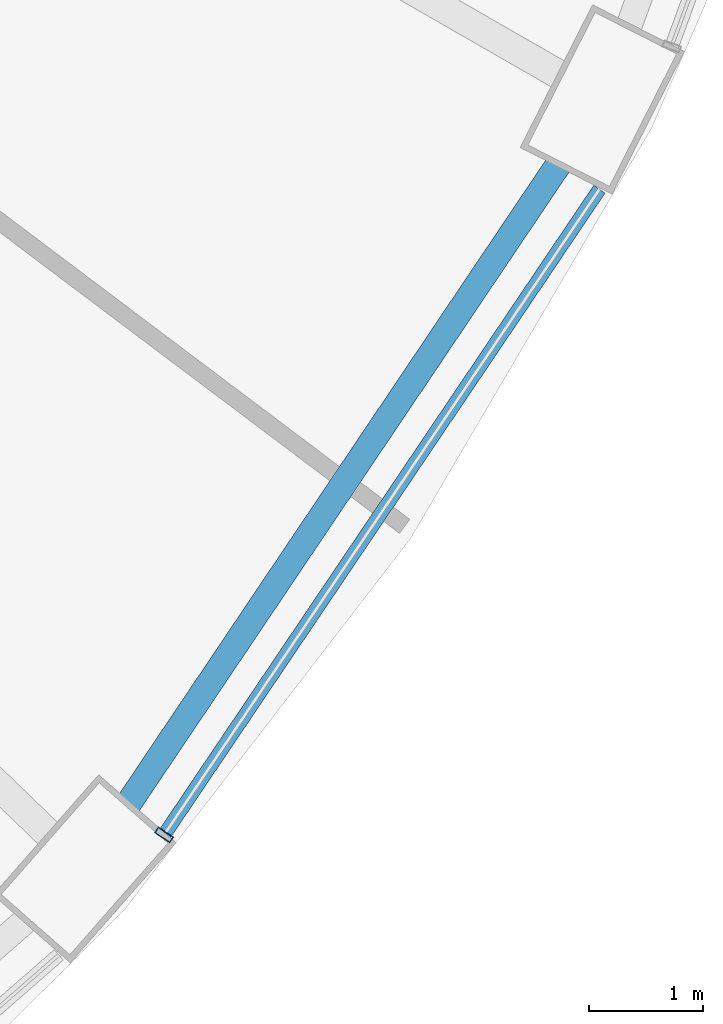
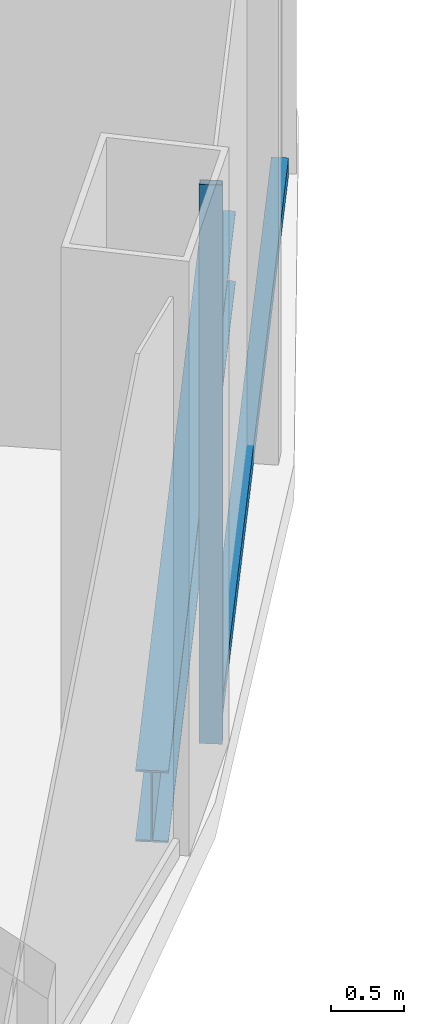
# One storey, part 13 of 47: 2 members, 1 beam, 1 element without a shape of its own.
"""IFC4 building model written with IfcOpenShell, lengths in metres."""

from ifc_helpers import new_model, si_unit, direction, frame, origin, origin_2d, place, context, subcontext, project, spatial, hollow_rectangle, i_section, extrude, material, layer, layer_set, material_profile, profile_set, type_object, element, aggregate, save


model = new_model("IFC4")

# Units and contexts
model_context = context("Model", 3, precision=1e-05, world=origin(), true_north=direction((0.0, 1.0)))
body_context = subcontext(model_context, "Body", "Model", "MODEL_VIEW")
ifc_project = project(units=[si_unit("LENGTHUNIT", "METRE"), si_unit("AREAUNIT", "SQUARE_METRE"), si_unit("VOLUMEUNIT", "CUBIC_METRE"), si_unit("PLANEANGLEUNIT", "RADIAN"), si_unit("MASSUNIT", "GRAM", prefix="KILO")], contexts=[model_context])

# Site, building, storey
site_placement = place(None, origin())
site = spatial("IfcSite", under=ifc_project, at=site_placement, CompositionType="ELEMENT")
building_placement = place(site_placement, origin())
building = spatial("IfcBuilding", under=site, at=building_placement, Name="Nagisa Residences", CompositionType="ELEMENT")
storey_placement = place(building_placement, frame((0.0, 0.0, 17.0)))
storey = spatial("IfcBuildingStorey", under=building, at=storey_placement, Name="L03", CompositionType="ELEMENT", Elevation=17.0)

# Curtain wall, members
ifc_material_1 = material(Name="Stainless steel curtain wall system", Category="steel")
ifc_layer = layer(ifc_material_1, 0.159912109375)
ifc_layer_set = layer_set([ifc_layer], Name="CW6 CURTAIN WALL")
curtain_wall_type = type_object("IfcCurtainWallType", Name="CW6 CURTAIN WALL", PredefinedType="NOTDEFINED", material=ifc_layer_set)
curtain_wall_placement = place(storey_placement, origin())
curtain_wall = element("IfcCurtainWall", 1, at=curtain_wall_placement, inside=storey, type_object=curtain_wall_type, Name="cw:CW6:L03:42", PredefinedType="NOTDEFINED")
ifc_material_2 = material(Name="Stainless steel", Category="steel")
ifc_material_profile_1 = material_profile(ifc_material_2, hollow_rectangle(XDim=0.159912109375, YDim=0.06005859375, WallThickness=0.006103515625, at=origin_2d()), Name="CW6 MULLION 160x60")
ifc_profile_set_1 = profile_set([ifc_material_profile_1], Name="Stainless steel")
member_type_1 = type_object("IfcMemberType", Name="CW6 MULLION 160x60", PredefinedType="MULLION", material=ifc_profile_set_1)
member_1_placement = place(storey_placement, frame((24.447998046875, -22.6845703125, 0.0), z_axis=(0.0, 0.0, 1.0), x_axis=(-0.829110926393, 0.559084136544, 0.0)))
member_1 = element("IfcMember", 2, at=member_1_placement, type_object=member_type_1, Name="CW6 mullion", PredefinedType="MULLION", context=body_context, shape_type="SweptSolid", body=[
    extrude(hollow_rectangle(XDim=0.159912109375, YDim=0.06005859375, WallThickness=0.006103515625, at=origin_2d()), origin(), (0.0, 0.0, 1.0), 4.699951171875),
])
ifc_material_3 = material(Name="Stainless steel", Category="steel")
ifc_material_profile_2 = material_profile(ifc_material_3, hollow_rectangle(XDim=0.1201171875, YDim=0.14990234375, WallThickness=0.008056640625, at=origin_2d()), Name="CW6 TRANSOM 120x150")
ifc_profile_set_2 = profile_set([ifc_material_profile_2], Name="Stainless steel")
member_type_2 = type_object("IfcMemberType", Name="CW6 TRANSOM 120x150", PredefinedType="USERDEFINED", material=ifc_profile_set_2)
member_2_placement = place(storey_placement, frame((24.43115234375, -22.70947265625, 0.074951171875), z_axis=(0.559080645991, 0.829113280124, 0.0), x_axis=(-0.829113280124, 0.559080645991, 0.0)))
member_2 = element("IfcMember", 3, at=member_2_placement, type_object=member_type_2, Name="CW6 transom", ObjectType="TRANSOM", PredefinedType="USERDEFINED", context=body_context, shape_type="SweptSolid", body=[
    extrude(hollow_rectangle(XDim=0.1201171875, YDim=0.14990234375, WallThickness=0.008056640625, at=origin_2d()), origin(), (0.0, 0.0, 1.0), 6.84326171875),
])
aggregate(curtain_wall, [member_1, member_2])

# Beam
ifc_material_4 = material(Name="Steel ASTM A572 Gr 50", Category="steel")
ifc_material_profile_3 = material_profile(ifc_material_4, i_section(OverallWidth=0.22802734375, OverallDepth=0.60302734375, WebThickness=0.010498046875, FlangeThickness=0.014892578125, at=origin_2d()), Name="W610x101")
ifc_profile_set_3 = profile_set([ifc_material_profile_3], Name="Steel ASTM A572 Gr 50")
beam_type = type_object("IfcBeamType", Name="Perimeter ring beam W610x101", PredefinedType="BEAM", material=ifc_profile_set_3)
beam_placement = place(storey_placement, frame((24.135498046875, -22.411865234375, -0.6015625), z_axis=(0.558271879663, 0.829658067144, 0.0), x_axis=(-0.829658067144, 0.558271879663, 0.0)))
element("IfcBeam", 4, at=beam_placement, inside=storey, type_object=beam_type, Name="beam:L03:pb22", PredefinedType="BEAM", context=body_context, shape_type="SweptSolid", body=[
    extrude(i_section(OverallWidth=0.22802734375, OverallDepth=0.60302734375, WebThickness=0.010498046875, FlangeThickness=0.014892578125, at=origin_2d()), origin(), (0.0, 0.0, 1.0), 6.74169921875),
])

save(model, "model.ifc")
